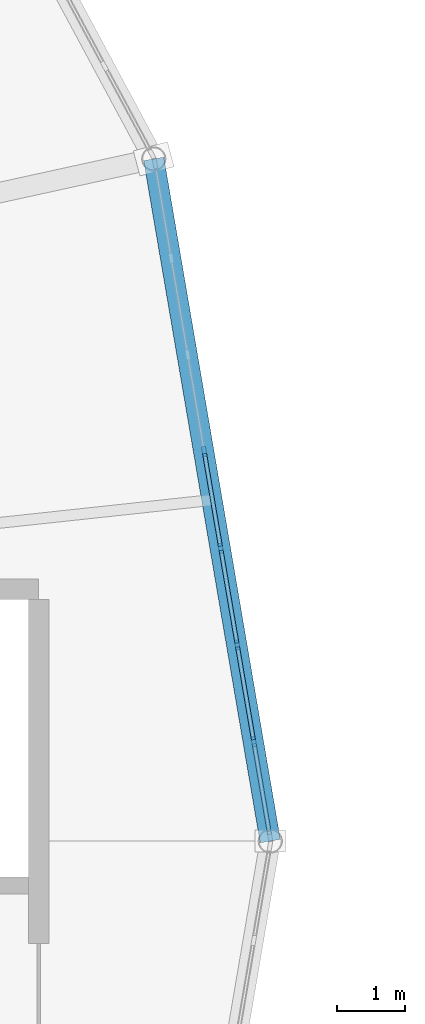
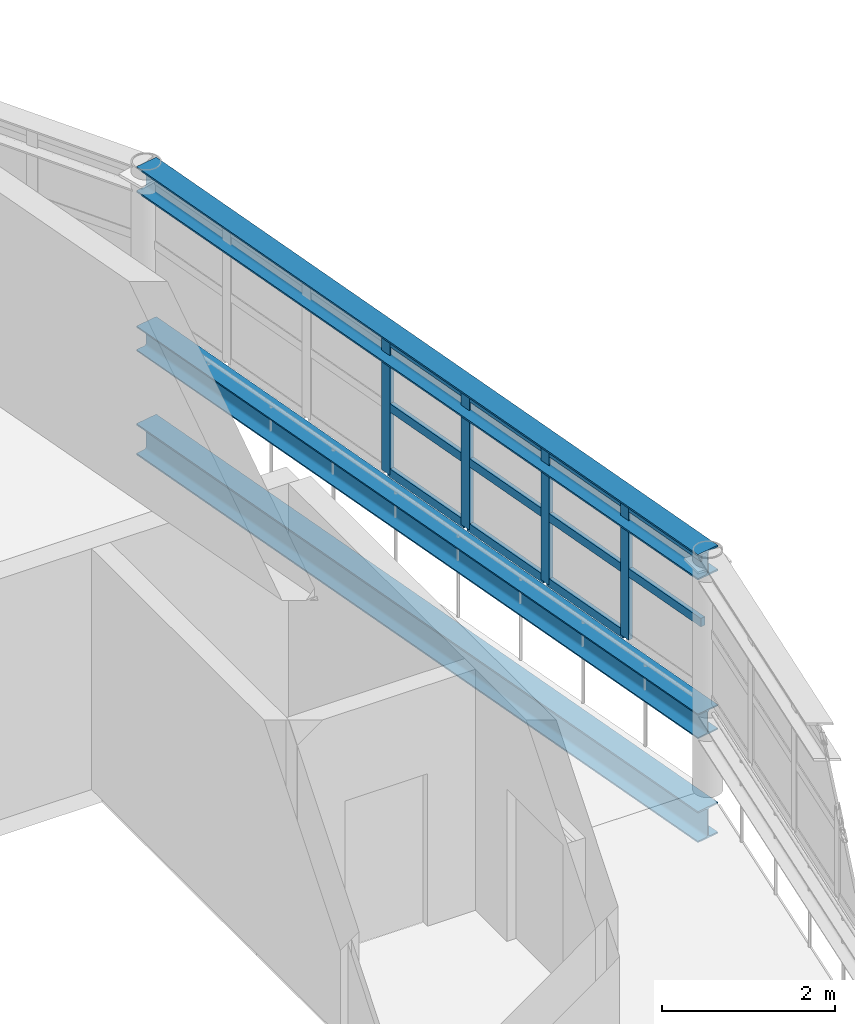
# One storey, part 65 of 123: 15 members, 3 beams, 1 element without a shape of its own.
"""IFC4 building model written with IfcOpenShell, lengths in metres."""

from ifc_helpers import new_model, si_unit, direction, frame, origin, origin_2d, place, context, subcontext, project, spatial, rectangle, i_section, extrude, material, material_profile, profile_set, type_object, element, aggregate, save


model = new_model("IFC4")

# Units and contexts
model_context = context("Model", 3, precision=1e-05, world=origin(), true_north=direction((0.0, 1.0)))
body_context = subcontext(model_context, "Body", "Model", "MODEL_VIEW")
ifc_project = project(units=[si_unit("LENGTHUNIT", "METRE"), si_unit("AREAUNIT", "SQUARE_METRE"), si_unit("VOLUMEUNIT", "CUBIC_METRE"), si_unit("PLANEANGLEUNIT", "RADIAN"), si_unit("MASSUNIT", "GRAM", prefix="KILO")], contexts=[model_context])

# Site, building, storey
site_placement = place(None, origin())
site = spatial("IfcSite", under=ifc_project, at=site_placement, CompositionType="ELEMENT")
building_placement = place(site_placement, origin())
building = spatial("IfcBuilding", under=site, at=building_placement, Name="Kildeholm Park Wholesale Market", CompositionType="ELEMENT")
storey_placement = place(building_placement, frame((0.0, 0.0, 9.60009765625)))
storey = spatial("IfcBuildingStorey", under=building, at=storey_placement, Name="L02", CompositionType="ELEMENT", Elevation=9.60009765625)

# Beams
ifc_material_1 = material(Name="Steel S355", Category="steel")
ifc_material_profile_1 = material_profile(ifc_material_1, i_section(OverallWidth=0.300048828125, OverallDepth=0.35009765625, WebThickness=0.010009765625, FlangeThickness=0.017578125, FilletRadius=0.027099609375, at=origin_2d()), Name="HEA 360")
ifc_profile_set_1 = profile_set([ifc_material_profile_1], Name="Steel S355")
beam_type_1 = type_object("IfcBeamType", Name="Beam B-R01 HEA 360", PredefinedType="BEAM", material=ifc_profile_set_1)
beam_1_placement = place(storey_placement, frame((149.199951171875, 89.5, 0.947265625), z_axis=(-0.168379597692, 0.985722228156, 0.0), x_axis=(-0.985722228156, -0.168379597692, 0.0)))
element("IfcBeam", 1, at=beam_1_placement, inside=storey, type_object=beam_type_1, Name="Beam BM-V1-S1IN-00 BM-0221", PredefinedType="BEAM", context=body_context, shape_type="SweptSolid", body=[
    extrude(i_section(OverallWidth=0.300048828125, OverallDepth=0.35009765625, WebThickness=0.010009765625, FlangeThickness=0.017578125, FilletRadius=0.027099609375, at=origin_2d()), origin(), (0.0, 0.0, 1.0), 10.1611328125),
])
ifc_material_profile_2 = material_profile(ifc_material_1, i_section(OverallWidth=0.300048828125, OverallDepth=0.43994140625, WebThickness=0.011474609375, FlangeThickness=0.02099609375, FilletRadius=0.027099609375, at=origin_2d()), Name="HEA 450")
ifc_profile_set_2 = profile_set([ifc_material_profile_2], Name="Steel S355")
beam_type_2 = type_object("IfcBeamType", Name="Beam B-R02 HEA 450", PredefinedType="BEAM", material=ifc_profile_set_2)
beam_2_placement = place(storey_placement, frame((149.199951171875, 89.5, -0.47412109375), z_axis=(-0.168379597692, 0.985722228156, 0.0), x_axis=(-0.985722228156, -0.168379597692, 0.0)))
element("IfcBeam", 2, at=beam_2_placement, inside=storey, type_object=beam_type_2, Name="Beam BM-V1-L02-CM-00 BM-0006", PredefinedType="BEAM", context=body_context, shape_type="SweptSolid", body=[
    extrude(i_section(OverallWidth=0.300048828125, OverallDepth=0.43994140625, WebThickness=0.011474609375, FlangeThickness=0.02099609375, FilletRadius=0.027099609375, at=origin_2d()), origin(), (0.0, 0.0, 1.0), 10.1611328125),
])
ifc_material_profile_3 = material_profile(ifc_material_1, i_section(OverallWidth=0.300048828125, OverallDepth=0.360107421875, WebThickness=0.012451171875, FlangeThickness=0.0224609375, FilletRadius=0.027099609375, at=origin_2d()), Name="HEB 360")
ifc_profile_set_3 = profile_set([ifc_material_profile_3], Name="Steel S355")
beam_type_3 = type_object("IfcBeamType", Name="Beam B-R03 HEB 360", PredefinedType="BEAM", material=ifc_profile_set_3)
beam_3_placement = place(storey_placement, frame((149.199951171875, 89.5, 3.1904296875), z_axis=(-0.168379597692, 0.985722228156, 0.0), x_axis=(-0.985722228156, -0.168379597692, 0.0)))
element("IfcBeam", 3, at=beam_3_placement, inside=storey, type_object=beam_type_3, Name="Beam BM-V1-RF-M1-00 BM-0222", PredefinedType="BEAM", context=body_context, shape_type="SweptSolid", body=[
    extrude(i_section(OverallWidth=0.300048828125, OverallDepth=0.360107421875, WebThickness=0.012451171875, FlangeThickness=0.0224609375, FilletRadius=0.027099609375, at=origin_2d()), origin(), (0.0, 0.0, 1.0), 10.1611328125),
])

# Curtain wall, members
ifc_material_2 = material(Name="Anodised aluminium and low-E double-glazed glass", Category="aluminium")
curtain_wall_type = type_object("IfcCurtainWallType", Name="Clerestory daylight stick curtain wall CW-02", PredefinedType="NOTDEFINED", material=ifc_material_2)
curtain_wall_placement = place(storey_placement, origin())
curtain_wall = element("IfcCurtainWall", 4, at=curtain_wall_placement, inside=storey, type_object=curtain_wall_type, Name="Curtain wall CW-V1-CL-00 CW-0002", PredefinedType="NOTDEFINED")
ifc_material_3 = material(Name="Anodised aluminium", Category="aluminium")
ifc_material_profile_4 = material_profile(ifc_material_3, rectangle(XDim=0.06005859375, YDim=0.14990234375, at=origin_2d()), Name="CWM 60x150")
ifc_profile_set_4 = profile_set([ifc_material_profile_4], Name="Anodised aluminium")
member_type_1 = type_object("IfcMemberType", Name="Curtain-wall mullion CWM-3 CWM 60x150", PredefinedType="MULLION", material=ifc_profile_set_4)
member_1_placement = place(storey_placement, frame((148.95751953125, 90.959716796875, 1.349853515625), z_axis=(0.0, 0.0, 1.0), x_axis=(-0.985732010437, -0.168322320564, 0.0)))
member_1 = element("IfcMember", 5, at=member_1_placement, type_object=member_type_1, Name="CW-02 mullion 2 MEM-0428", PredefinedType="MULLION", context=body_context, shape_type="SweptSolid", body=[
    extrude(rectangle(XDim=0.06005859375, YDim=0.14990234375, at=origin_2d()), origin(), (0.0, 0.0, 1.0), 1.900146484375),
])
member_2_placement = place(storey_placement, frame((148.715087890625, 92.37939453125, 1.349853515625), z_axis=(0.0, 0.0, 1.0), x_axis=(-0.985732010437, -0.168322320564, 0.0)))
member_2 = element("IfcMember", 6, at=member_2_placement, type_object=member_type_1, Name="CW-02 mullion 3 MEM-0429", PredefinedType="MULLION", context=body_context, shape_type="SweptSolid", body=[
    extrude(rectangle(XDim=0.06005859375, YDim=0.14990234375, at=origin_2d()), origin(), (0.0, 0.0, 1.0), 1.900146484375),
])
member_3_placement = place(storey_placement, frame((148.47265625, 93.799072265625, 1.349853515625), z_axis=(0.0, 0.0, 1.0), x_axis=(-0.985732010437, -0.168322320564, 0.0)))
member_3 = element("IfcMember", 7, at=member_3_placement, type_object=member_type_1, Name="CW-02 mullion 4 MEM-0430", PredefinedType="MULLION", context=body_context, shape_type="SweptSolid", body=[
    extrude(rectangle(XDim=0.06005859375, YDim=0.14990234375, at=origin_2d()), origin(), (0.0, 0.0, 1.0), 1.900146484375),
])
member_4_placement = place(storey_placement, frame((148.230224609375, 95.21875, 1.349853515625), z_axis=(0.0, 0.0, 1.0), x_axis=(-0.985732010437, -0.168322320564, 0.0)))
member_4 = element("IfcMember", 8, at=member_4_placement, type_object=member_type_1, Name="CW-02 mullion 5 MEM-0431", PredefinedType="MULLION", context=body_context, shape_type="SweptSolid", body=[
    extrude(rectangle(XDim=0.06005859375, YDim=0.14990234375, at=origin_2d()), origin(), (0.0, 0.0, 1.0), 1.900146484375),
])
ifc_material_profile_5 = material_profile(ifc_material_3, rectangle(XDim=0.06005859375, YDim=0.1201171875, at=origin_2d()), Name="CWT 60x120")
ifc_profile_set_5 = profile_set([ifc_material_profile_5], Name="Anodised aluminium")
member_type_2 = type_object("IfcMemberType", Name="Curtain-wall transom CWT-3 CWT 60x120", PredefinedType="USERDEFINED", material=ifc_profile_set_5)
member_5_placement = place(storey_placement, frame((149.18994140625, 89.59912109375, 2.2998046875), z_axis=(-0.168326457098, 0.985731304079, 0.0), x_axis=(-0.985731304079, -0.168326457098, 0.0)))
member_5 = element("IfcMember", 9, at=member_5_placement, type_object=member_type_2, Name="CW-02 transom 1.2 MEM-0436", ObjectType="TRANSOM", PredefinedType="USERDEFINED", context=body_context, shape_type="SweptSolid", body=[
    extrude(rectangle(XDim=0.06005859375, YDim=0.1201171875, at=origin_2d()), origin(), (0.0, 0.0, 1.0), 1.350341796875),
])
member_6_placement = place(storey_placement, frame((149.18994140625, 89.59912109375, 3.219970703125), z_axis=(-0.168326457098, 0.985731304079, 0.0), x_axis=(-0.985731304079, -0.168326457098, 0.0)))
member_6 = element("IfcMember", 10, at=member_6_placement, type_object=member_type_2, Name="CW-02 transom 1.3 MEM-0437", ObjectType="TRANSOM", PredefinedType="USERDEFINED", context=body_context, shape_type="SweptSolid", body=[
    extrude(rectangle(XDim=0.06005859375, YDim=0.1201171875, at=origin_2d()), origin(), (0.0, 0.0, 1.0), 1.350341796875),
])
member_7_placement = place(storey_placement, frame((148.95263671875, 90.9892578125, 1.3798828125), z_axis=(-0.168384490495, 0.985721392362, 0.0), x_axis=(-0.985721392362, -0.168384490495, 0.0)))
member_7 = element("IfcMember", 11, at=member_7_placement, type_object=member_type_2, Name="CW-02 transom 2.1 MEM-0438", ObjectType="TRANSOM", PredefinedType="USERDEFINED", context=body_context, shape_type="SweptSolid", body=[
    extrude(rectangle(XDim=0.06005859375, YDim=0.1201171875, at=origin_2d()), origin(), (0.0, 0.0, 1.0), 1.38037109375),
])
member_8_placement = place(storey_placement, frame((148.95263671875, 90.9892578125, 2.2998046875), z_axis=(-0.168384490495, 0.985721392362, 0.0), x_axis=(-0.985721392362, -0.168384490495, 0.0)))
member_8 = element("IfcMember", 12, at=member_8_placement, type_object=member_type_2, Name="CW-02 transom 2.2 MEM-0439", ObjectType="TRANSOM", PredefinedType="USERDEFINED", context=body_context, shape_type="SweptSolid", body=[
    extrude(rectangle(XDim=0.06005859375, YDim=0.1201171875, at=origin_2d()), origin(), (0.0, 0.0, 1.0), 1.38037109375),
])
member_9_placement = place(storey_placement, frame((148.95263671875, 90.9892578125, 3.219970703125), z_axis=(-0.168384490495, 0.985721392362, 0.0), x_axis=(-0.985721392362, -0.168384490495, 0.0)))
member_9 = element("IfcMember", 13, at=member_9_placement, type_object=member_type_2, Name="CW-02 transom 2.3 MEM-0440", ObjectType="TRANSOM", PredefinedType="USERDEFINED", context=body_context, shape_type="SweptSolid", body=[
    extrude(rectangle(XDim=0.06005859375, YDim=0.1201171875, at=origin_2d()), origin(), (0.0, 0.0, 1.0), 1.38037109375),
])
member_10_placement = place(storey_placement, frame((148.710205078125, 92.408935546875, 1.3798828125), z_axis=(-0.168384490495, 0.985721392362, 0.0), x_axis=(-0.985721392362, -0.168384490495, 0.0)))
member_10 = element("IfcMember", 14, at=member_10_placement, type_object=member_type_2, Name="CW-02 transom 3.1 MEM-0441", ObjectType="TRANSOM", PredefinedType="USERDEFINED", context=body_context, shape_type="SweptSolid", body=[
    extrude(rectangle(XDim=0.06005859375, YDim=0.1201171875, at=origin_2d()), origin(), (0.0, 0.0, 1.0), 1.38037109375),
])
member_11_placement = place(storey_placement, frame((148.710205078125, 92.408935546875, 2.2998046875), z_axis=(-0.168384490495, 0.985721392362, 0.0), x_axis=(-0.985721392362, -0.168384490495, 0.0)))
member_11 = element("IfcMember", 15, at=member_11_placement, type_object=member_type_2, Name="CW-02 transom 3.2 MEM-0442", ObjectType="TRANSOM", PredefinedType="USERDEFINED", context=body_context, shape_type="SweptSolid", body=[
    extrude(rectangle(XDim=0.06005859375, YDim=0.1201171875, at=origin_2d()), origin(), (0.0, 0.0, 1.0), 1.38037109375),
])
member_12_placement = place(storey_placement, frame((148.710205078125, 92.408935546875, 3.219970703125), z_axis=(-0.168384490495, 0.985721392362, 0.0), x_axis=(-0.985721392362, -0.168384490495, 0.0)))
member_12 = element("IfcMember", 16, at=member_12_placement, type_object=member_type_2, Name="CW-02 transom 3.3 MEM-0443", ObjectType="TRANSOM", PredefinedType="USERDEFINED", context=body_context, shape_type="SweptSolid", body=[
    extrude(rectangle(XDim=0.06005859375, YDim=0.1201171875, at=origin_2d()), origin(), (0.0, 0.0, 1.0), 1.38037109375),
])
member_13_placement = place(storey_placement, frame((148.4677734375, 93.82861328125, 1.3798828125), z_axis=(-0.168384490495, 0.985721392362, 0.0), x_axis=(-0.985721392362, -0.168384490495, 0.0)))
member_13 = element("IfcMember", 17, at=member_13_placement, type_object=member_type_2, Name="CW-02 transom 4.1 MEM-0444", ObjectType="TRANSOM", PredefinedType="USERDEFINED", context=body_context, shape_type="SweptSolid", body=[
    extrude(rectangle(XDim=0.06005859375, YDim=0.1201171875, at=origin_2d()), origin(), (0.0, 0.0, 1.0), 1.38037109375),
])
member_14_placement = place(storey_placement, frame((148.4677734375, 93.82861328125, 2.2998046875), z_axis=(-0.168384490495, 0.985721392362, 0.0), x_axis=(-0.985721392362, -0.168384490495, 0.0)))
member_14 = element("IfcMember", 18, at=member_14_placement, type_object=member_type_2, Name="CW-02 transom 4.2 MEM-0445", ObjectType="TRANSOM", PredefinedType="USERDEFINED", context=body_context, shape_type="SweptSolid", body=[
    extrude(rectangle(XDim=0.06005859375, YDim=0.1201171875, at=origin_2d()), origin(), (0.0, 0.0, 1.0), 1.38037109375),
])
member_15_placement = place(storey_placement, frame((148.4677734375, 93.82861328125, 3.219970703125), z_axis=(-0.168384490495, 0.985721392362, 0.0), x_axis=(-0.985721392362, -0.168384490495, 0.0)))
member_15 = element("IfcMember", 19, at=member_15_placement, type_object=member_type_2, Name="CW-02 transom 4.3 MEM-0446", ObjectType="TRANSOM", PredefinedType="USERDEFINED", context=body_context, shape_type="SweptSolid", body=[
    extrude(rectangle(XDim=0.06005859375, YDim=0.1201171875, at=origin_2d()), origin(), (0.0, 0.0, 1.0), 1.38037109375),
])
aggregate(curtain_wall, [member_1, member_2, member_3, member_4, member_5, member_6, member_7, member_8, member_9, member_10, member_11, member_12, member_13, member_14, member_15])

save(model, "model.ifc")
